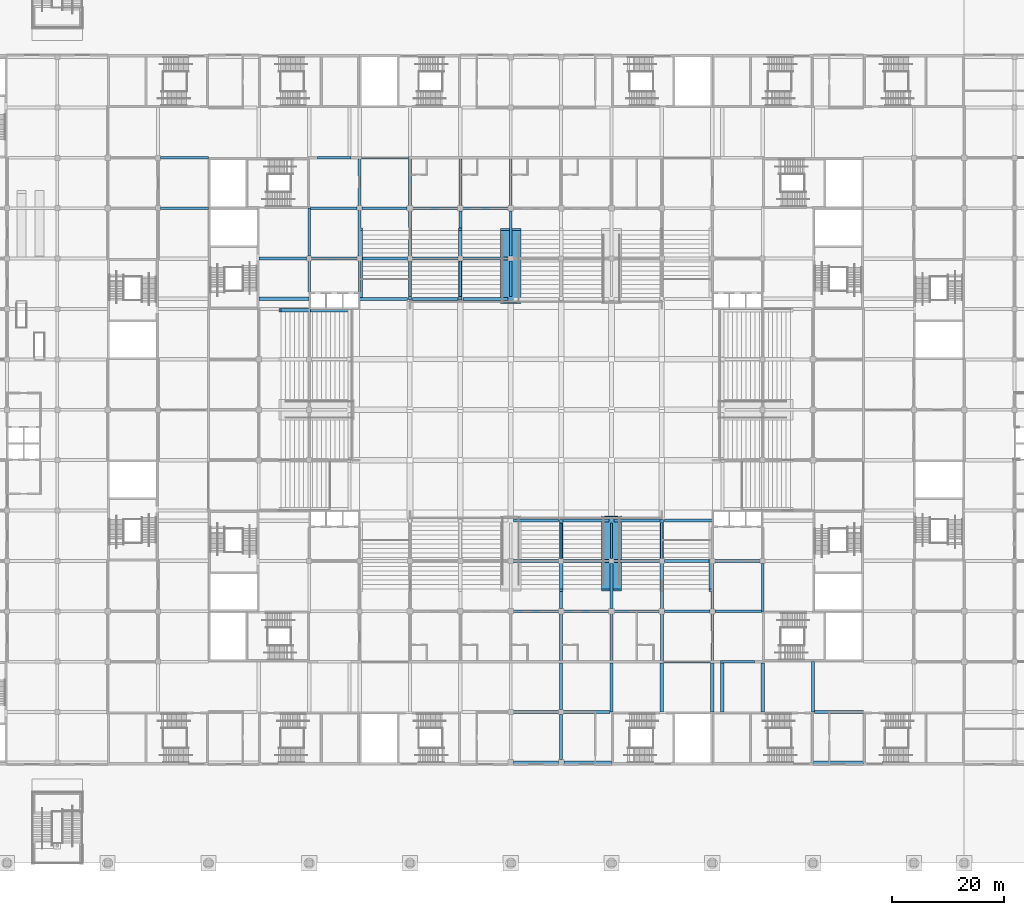
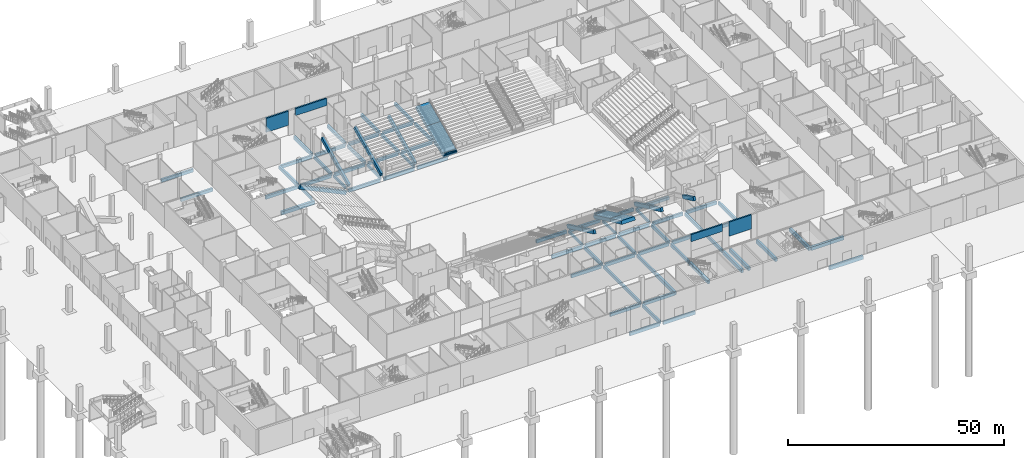
# One storey, part 13 of 92: 92 beams.
"""IFC4 building model written with IfcOpenShell, lengths in metres."""

import ifcopenshell
import ifcopenshell.guid

model = None  # the IFC model being written
_history = None  # IfcOwnerHistory: only IFC2X3 demands one
_inside = {}  # id of a spatial element -> (the spatial element, [elements in it])
_under = {}  # id of a project, library or spatial element -> (it, [spatial elements below it])
_declared = {}  # id of a project -> (the project, [libraries it declares])
_typed = {}  # id of a type object -> (the type object, [elements of that type])
_made_of = {}  # id of a material, layer set ... -> (it, [elements and type objects made of it])


def new_model(schema):
    """Start an empty IFC model of exactly this schema.

    Asked for "IFC4X3", IfcOpenShell would pick the latest addendum, in which some entities
    have other attributes; the version numbers below select the first issue.
    IFC2X3 requires an IfcOwnerHistory on every rooted entity: one is made here for all.
    """
    global model, _history
    if schema == "IFC4X3":
        model = ifcopenshell.file(schema_version=(4, 3, 0, 0))
    else:
        model = ifcopenshell.file(schema=schema)
    _inside.clear()
    _under.clear()
    _declared.clear()
    _typed.clear()
    _made_of.clear()
    _history = None
    if model.schema == "IFC2X3":
        org = make("IfcOrganization", Name="unknown")
        user = make(
            "IfcPersonAndOrganization",
            ThePerson=make("IfcPerson", FamilyName="unknown"),
            TheOrganization=org,
        )
        app = make(
            "IfcApplication",
            ApplicationDeveloper=org,
            Version="unknown",
            ApplicationFullName="unknown",
            ApplicationIdentifier="unknown",
        )
        _history = make(
            "IfcOwnerHistory",
            OwningUser=user,
            OwningApplication=app,
            ChangeAction="ADDED",
            CreationDate=0,
        )
    return model


def make(cls, **values):
    """One entity of the class cls with the attributes given. An attribute that is None is left unset."""
    return model.create_entity(
        cls, **{name: value for name, value in values.items() if value is not None}
    )


def rooted(cls, **values):
    """An entity with a GlobalId (a new one), such as an element, a storey or a relation."""
    return make(cls, GlobalId=ifcopenshell.guid.new(), OwnerHistory=_history, **values)


def si_unit(unit_type, name, prefix=None):
    """IfcSIUnit, for example si_unit("LENGTHUNIT", "METRE", prefix="MILLI")."""
    return make("IfcSIUnit", UnitType=unit_type, Prefix=prefix, Name=name)


def assignment(units):
    """IfcUnitAssignment: the units of a project."""
    return None if units is None else make("IfcUnitAssignment", Units=units)


def point(xyz):
    """IfcCartesianPoint."""
    return None if xyz is None else make("IfcCartesianPoint", Coordinates=xyz)


def direction(xyz):
    """IfcDirection."""
    return None if xyz is None else make("IfcDirection", DirectionRatios=xyz)


def frame(location, z_axis=None, x_axis=None):
    """IfcAxis2Placement3D, a coordinate frame: its origin and axes. An axis left out is left unset."""
    return make(
        "IfcAxis2Placement3D",
        Location=point(location),
        Axis=direction(z_axis),
        RefDirection=direction(x_axis),
    )


def frame_2d(location, x_axis=None):
    """IfcAxis2Placement2D, a coordinate frame in the plane: its origin and x axis."""
    return make(
        "IfcAxis2Placement2D", Location=point(location), RefDirection=direction(x_axis)
    )


def origin():
    """The frame at (0, 0, 0) with its axes left unset."""
    return frame((0.0, 0.0, 0.0))


def origin_2d():
    """The frame at (0, 0) in the plane with its x axis left unset."""
    return frame_2d((0.0, 0.0))


def place(relative_to, where):
    """IfcLocalPlacement: puts the frame where relative to a parent placement (None: the world)."""
    return make(
        "IfcLocalPlacement", PlacementRelTo=relative_to, RelativePlacement=where
    )


def context(
    kind, dimensions, precision=None, world=None, true_north=None, identifier=None
):
    """IfcGeometricRepresentationContext, for example the 3D "Model" context."""
    return make(
        "IfcGeometricRepresentationContext",
        ContextIdentifier=identifier,
        ContextType=kind,
        CoordinateSpaceDimension=dimensions,
        Precision=precision,
        WorldCoordinateSystem=world,
        TrueNorth=true_north,
    )


def subcontext(parent, identifier, kind, view, scale=None):
    """IfcGeometricRepresentationSubContext, for example "Body" below "Model"."""
    return make(
        "IfcGeometricRepresentationSubContext",
        ContextIdentifier=identifier,
        ContextType=kind,
        ParentContext=parent,
        TargetScale=scale,
        TargetView=view,
    )


def project(units=None, contexts=None):
    """IfcProject with its units and contexts."""
    return rooted(
        "IfcProject",
        Name="project",
        RepresentationContexts=contexts,
        UnitsInContext=assignment(units),
    )


def spatial(cls, under=None, at=None, **own):
    """A site, building, storey or space (cls), placed at a placement, below another one or the project."""
    s = rooted(cls, ObjectPlacement=at, **own)
    if under is not None:
        _under.setdefault(under.id(), (under, []))[1].append(s)
    return s


def profile(cls, at=None, kind="AREA", **sizes):
    """A parametric profile (cls). Its sizes go by their IFC names, for example OverallWidth=200.0."""
    return make(cls, ProfileType=kind, Position=at, **sizes)


def rectangle(**sizes):
    """IfcRectangleProfileDef."""
    return profile("IfcRectangleProfileDef", **sizes)


def extrude(swept, where, along, depth):
    """IfcExtrudedAreaSolid: the profile swept, set in the frame where, extruded along a direction by depth."""
    return make(
        "IfcExtrudedAreaSolid",
        SweptArea=swept,
        Position=where,
        ExtrudedDirection=direction(along),
        Depth=depth,
    )


def shape(context_of_items, identifier, shape_type, items):
    """IfcShapeRepresentation: the items that make up one representation, for example the "Body"."""
    return make(
        "IfcShapeRepresentation",
        ContextOfItems=context_of_items,
        RepresentationIdentifier=identifier,
        RepresentationType=shape_type,
        Items=items,
    )


def material(Name=None, Category=None):
    """IfcMaterial."""
    return make("IfcMaterial", Name=Name, Category=Category)


def material_profile(
    of_material, cross_section, Name=None, Category=None, Priority=None
):
    """IfcMaterialProfile: a cross section and its material."""
    return make(
        "IfcMaterialProfile",
        Name=Name,
        Material=of_material,
        Profile=cross_section,
        Priority=Priority,
        Category=Category,
    )


def profile_set(profiles, Name=None, composite=None):
    """IfcMaterialProfileSet."""
    return make(
        "IfcMaterialProfileSet",
        Name=Name,
        MaterialProfiles=profiles,
        CompositeProfile=composite,
    )


def made_of(thing, what):
    """Note that an element or type object is made of a material, layer set ...; save() writes the relation."""
    if what is not None:
        _made_of.setdefault(what.id(), (what, []))[1].append(thing)
    return thing


def type_object(cls, material=None, **own):
    """A type object (cls), such as IfcWallType, which elements share."""
    return made_of(rooted(cls, **own), material)


def element(
    cls,
    number,
    at=None,
    inside=None,
    cuts=None,
    type_object=None,
    material=None,
    context=None,
    identifier="Body",
    shape_type=None,
    held_by="IfcProductDefinitionShape",
    body=None,
    shapes=None,
    **own,
):
    """One element of the class cls, such as IfcWall. Its Tag is "e" and its number.

    at: its placement. inside: the storey or other place that contains it. cuts: it is an
    opening in that element (IfcRelVoidsElement). A single representation is given by context,
    identifier, shape_type and body (its items); several are given by shapes. held_by: the class
    of the entity that holds the representations. save() writes the other relations.
    """
    e = rooted(cls, Tag="e%d" % number, ObjectPlacement=at, **own)
    if body is not None:
        shapes = [shape(context, identifier, shape_type, body)]
    if shapes is not None:
        e.Representation = make(held_by, Representations=shapes)
    if inside is not None:
        _inside.setdefault(inside.id(), (inside, []))[1].append(e)
    if cuts is not None:
        rooted(
            "IfcRelVoidsElement", RelatingBuildingElement=cuts, RelatedOpeningElement=e
        )
    if type_object is not None:
        _typed.setdefault(type_object.id(), (type_object, []))[1].append(e)
    return made_of(e, material)


def aggregate(whole, parts):
    """IfcRelAggregates: a whole, such as a stair, and the parts it consists of."""
    return rooted("IfcRelAggregates", RelatingObject=whole, RelatedObjects=parts)


def save(model, path):
    """Write the relations noted so far, then the file.

    IfcRelAggregates (storeys below a building ...), IfcRelContainedInSpatialStructure (elements
    in a storey), IfcRelDefinesByType, IfcRelAssociatesMaterial and IfcRelDeclares: one each for
    every whole, place, type object, material and project.
    """
    for whole, parts in _under.values():
        aggregate(whole, parts)
    for where, things in _inside.values():
        rooted(
            "IfcRelContainedInSpatialStructure",
            RelatedElements=things,
            RelatingStructure=where,
        )
    for kind, things in _typed.values():
        rooted("IfcRelDefinesByType", RelatedObjects=things, RelatingType=kind)
    for what, things in _made_of.values():
        rooted("IfcRelAssociatesMaterial", RelatedObjects=things, RelatingMaterial=what)
    for by, libraries in _declared.values():
        rooted("IfcRelDeclares", RelatingContext=by, RelatedDefinitions=libraries)
    model.write(path)


model = new_model("IFC4")

# Units and contexts
model_context = context("Model", 3, precision=1e-05, world=origin(), true_north=direction((0.0, 1.0)))
body_context = subcontext(model_context, "Body", "Model", "MODEL_VIEW")
ifc_project = project(units=[si_unit("LENGTHUNIT", "METRE"), si_unit("AREAUNIT", "SQUARE_METRE"), si_unit("VOLUMEUNIT", "CUBIC_METRE"), si_unit("PLANEANGLEUNIT", "RADIAN"), si_unit("MASSUNIT", "GRAM", prefix="KILO")], contexts=[model_context])

# Site, building, storey
site_placement = place(None, origin())
site = spatial("IfcSite", under=ifc_project, at=site_placement, CompositionType="ELEMENT")
building_placement = place(site_placement, origin())
building = spatial("IfcBuilding", under=site, at=building_placement, Name="Silverbay Arena", CompositionType="ELEMENT")
storey_placement = place(building_placement, origin())
storey = spatial("IfcBuildingStorey", under=building, at=storey_placement, Name="L00", CompositionType="ELEMENT", Elevation=0.0)

# Beams
ifc_material_1 = material(Name="Concrete Grade C45", Category="concrete")
ifc_material_profile_1 = material_profile(ifc_material_1, rectangle(XDim=0.39990234375, YDim=0.699951171875, at=origin_2d()), Name="RC 400x700")
ifc_profile_set_1 = profile_set([ifc_material_profile_1], Name="Concrete Grade C45")
beam_type_1 = type_object("IfcBeamType", Name="RC beam 400x700", PredefinedType="BEAM", material=ifc_profile_set_1)
for number, where, z_axis, x_axis, name in (
    (1, (90.0, 102.0, -0.800048828125), (0.0, 1.0, 0.0), (-1.0, 0.0, 0.0), "Floor beam L00 299"),
    (2, (99.0, 102.0, -0.800048828125), (0.0, 1.0, 0.0), (-1.0, 0.0, 0.0), "Floor beam L00 312"),
):
    element("IfcBeam", number, at=place(storey_placement, frame(where, z_axis=z_axis, x_axis=x_axis)), inside=storey, type_object=beam_type_1, Name=name, PredefinedType="BEAM", context=body_context, shape_type="SweptSolid", body=[
        extrude(rectangle(XDim=0.39990234375, YDim=0.699951171875, at=origin_2d()), origin(), (0.0, 0.0, 1.0), 5.550048828125),
    ])
for number, where, z_axis, x_axis, name in (
    (3, (108.0, 101.25, -0.800048828125), (0.0, 1.0, 0.0), (-1.0, 0.0, 0.0), "Floor beam L00 324"),
    (4, (117.0, 101.25, -0.800048828125), (0.0, 1.0, 0.0), (-1.0, 0.0, 0.0), "Floor beam L00 336"),
    (5, (126.0, 101.25, -0.800048828125), (0.0, 1.0, 0.0), (-1.0, 0.0, 0.0), "Floor beam L00 349"),
    (6, (135.0, 54.449951171875, -0.800048828125), (0.0, 1.0, 0.0), (-1.0, 0.0, 0.0), "Floor beam L00 358"),
    (7, (144.0, 54.449951171875, -0.800048828125), (0.0, 1.0, 0.0), (-1.0, 0.0, 0.0), "Floor beam L00 371"),
    (8, (153.0, 54.449951171875, -0.800048828125), (0.0, 1.0, 0.0), (-1.0, 0.0, 0.0), "Floor beam L00 383"),
):
    element("IfcBeam", number, at=place(storey_placement, frame(where, z_axis=z_axis, x_axis=x_axis)), inside=storey, type_object=beam_type_1, Name=name, PredefinedType="BEAM", context=body_context, shape_type="SweptSolid", body=[
        extrude(rectangle(XDim=0.39990234375, YDim=0.699951171875, at=origin_2d()), origin(), (0.0, 0.0, 1.0), 6.300048828125),
    ])
ifc_material_2 = material(Name="Concrete Grade C45", Category="concrete")
ifc_material_profile_2 = material_profile(ifc_material_2, rectangle(XDim=0.5, YDim=0.89990234375, at=origin_2d()), Name="RC 500x900")
ifc_profile_set_2 = profile_set([ifc_material_profile_2], Name="Concrete Grade C45")
beam_type_2 = type_object("IfcBeamType", Name="RC beam 500x900", PredefinedType="BEAM", material=ifc_profile_set_2)
beam_1_placement = place(storey_placement, frame((126.5, 18.0, -0.89990234375), z_axis=(1.0, 0.0, 0.0), x_axis=(0.0, 1.0, 0.0)))
element("IfcBeam", 9, at=beam_1_placement, inside=storey, type_object=beam_type_2, Name="Floor beam L00 005", PredefinedType="BEAM", context=body_context, shape_type="SweptSolid", body=[
    extrude(rectangle(XDim=0.5, YDim=0.89990234375, at=origin_2d()), origin(), (0.0, 0.0, 1.0), 8.0),
])
beam_2_placement = place(storey_placement, frame((135.5, 18.0, -0.89990234375), z_axis=(1.0, 0.0, 0.0), x_axis=(0.0, 1.0, 0.0)))
element("IfcBeam", 10, at=beam_2_placement, inside=storey, type_object=beam_type_2, Name="Floor beam L00 006", PredefinedType="BEAM", context=body_context, shape_type="SweptSolid", body=[
    extrude(rectangle(XDim=0.5, YDim=0.89990234375, at=origin_2d()), origin(), (0.0, 0.0, 1.0), 8.5),
])
beam_3_placement = place(storey_placement, frame((126.449951171875, 27.0, -0.89990234375), z_axis=(1.0, 0.0, 0.0), x_axis=(0.0, 1.0, 0.0)))
element("IfcBeam", 11, at=beam_3_placement, inside=storey, type_object=beam_type_2, Name="Floor beam L00 014", PredefinedType="BEAM", context=body_context, shape_type="SweptSolid", body=[
    extrude(rectangle(XDim=0.5, YDim=0.89990234375, at=origin_2d()), origin(), (0.0, 0.0, 1.0), 8.10009765625),
])
beam_4_placement = place(storey_placement, frame((135.449951171875, 27.0, -0.89990234375), z_axis=(1.0, 0.0, 0.0), x_axis=(0.0, 1.0, 0.0)))
element("IfcBeam", 12, at=beam_4_placement, inside=storey, type_object=beam_type_2, Name="Floor beam L00 015", PredefinedType="BEAM", context=body_context, shape_type="SweptSolid", body=[
    extrude(rectangle(XDim=0.5, YDim=0.89990234375, at=origin_2d()), origin(), (0.0, 0.0, 1.0), 8.25),
])
for number, where, z_axis, x_axis, name in (
    (13, (126.5, 45.0, -0.89990234375), (1.0, 0.0, 0.0), (0.0, 1.0, 0.0), "Floor beam L00 036"),
    (14, (135.5, 45.0, -0.89990234375), (1.0, 0.0, 0.0), (0.0, 1.0, 0.0), "Floor beam L00 037"),
    (15, (144.5, 45.0, -0.89990234375), (1.0, 0.0, 0.0), (0.0, 1.0, 0.0), "Floor beam L00 038"),
):
    element("IfcBeam", number, at=place(storey_placement, frame(where, z_axis=z_axis, x_axis=x_axis)), inside=storey, type_object=beam_type_2, Name=name, PredefinedType="BEAM", context=body_context, shape_type="SweptSolid", body=[
        extrude(rectangle(XDim=0.5, YDim=0.89990234375, at=origin_2d()), origin(), (0.0, 0.0, 1.0), 8.0),
    ])
beam_5_placement = place(storey_placement, frame((153.5, 45.0, -0.89990234375), z_axis=(1.0, 0.0, 0.0), x_axis=(0.0, 1.0, 0.0)))
element("IfcBeam", 16, at=beam_5_placement, inside=storey, type_object=beam_type_2, Name="Floor beam L00 039", PredefinedType="BEAM", context=body_context, shape_type="SweptSolid", body=[
    extrude(rectangle(XDim=0.5, YDim=0.89990234375, at=origin_2d()), origin(), (0.0, 0.0, 1.0), 8.050048828125),
])
beam_6_placement = place(storey_placement, frame((162.449951171875, 45.0, -0.89990234375), z_axis=(1.0, 0.0, 0.0), x_axis=(0.0, 1.0, 0.0)))
element("IfcBeam", 17, at=beam_6_placement, inside=storey, type_object=beam_type_2, Name="Floor beam L00 040", PredefinedType="BEAM", context=body_context, shape_type="SweptSolid", body=[
    extrude(rectangle(XDim=0.5, YDim=0.89990234375, at=origin_2d()), origin(), (0.0, 0.0, 1.0), 8.300048828125),
])
for number, where, z_axis, x_axis, name in (
    (18, (126.449951171875, 54.0, -0.89990234375), (1.0, 0.0, 0.0), (0.0, 1.0, 0.0), "Floor beam L00 055"),
    (19, (135.449951171875, 54.0, -0.89990234375), (1.0, 0.0, 0.0), (0.0, 1.0, 0.0), "Floor beam L00 056"),
    (20, (144.449951171875, 54.0, -0.89990234375), (1.0, 0.0, 0.0), (0.0, 1.0, 0.0), "Floor beam L00 057"),
    (21, (153.449951171875, 54.0, -0.89990234375), (1.0, 0.0, 0.0), (0.0, 1.0, 0.0), "Floor beam L00 058"),
    (22, (162.449951171875, 54.0, -0.89990234375), (1.0, 0.0, 0.0), (0.0, 1.0, 0.0), "Floor beam L00 059"),
    (23, (126.449951171875, 61.199951171875, -0.89990234375), (1.0, 0.0, 0.0), (0.0, 1.0, 0.0), "Floor beam L00 070"),
    (24, (135.449951171875, 61.199951171875, -0.89990234375), (1.0, 0.0, 0.0), (0.0, 1.0, 0.0), "Floor beam L00 071"),
    (25, (144.449951171875, 61.199951171875, -0.89990234375), (1.0, 0.0, 0.0), (0.0, 1.0, 0.0), "Floor beam L00 072"),
):
    element("IfcBeam", number, at=place(storey_placement, frame(where, z_axis=z_axis, x_axis=x_axis)), inside=storey, type_object=beam_type_2, Name=name, PredefinedType="BEAM", context=body_context, shape_type="SweptSolid", body=[
        extrude(rectangle(XDim=0.5, YDim=0.89990234375, at=origin_2d()), origin(), (0.0, 0.0, 1.0), 8.10009765625),
    ])
for number, where, z_axis, x_axis, name in (
    (26, (153.449951171875, 61.199951171875, -0.89990234375), (1.0, 0.0, 0.0), (0.0, 1.0, 0.0), "Floor beam L00 073"),
    (27, (99.0, 100.800048828125, -0.89990234375), (1.0, 0.0, 0.0), (0.0, 1.0, 0.0), "Floor beam L00 163"),
):
    element("IfcBeam", number, at=place(storey_placement, frame(where, z_axis=z_axis, x_axis=x_axis)), inside=storey, type_object=beam_type_2, Name=name, PredefinedType="BEAM", context=body_context, shape_type="SweptSolid", body=[
        extrude(rectangle(XDim=0.5, YDim=0.89990234375, at=origin_2d()), origin(), (0.0, 0.0, 1.0), 8.550048828125),
    ])
for number, where, z_axis, x_axis, name in (
    (28, (108.449951171875, 100.800048828125, -0.89990234375), (1.0, 0.0, 0.0), (0.0, 1.0, 0.0), "Floor beam L00 164"),
    (29, (117.449951171875, 100.800048828125, -0.89990234375), (1.0, 0.0, 0.0), (0.0, 1.0, 0.0), "Floor beam L00 165"),
):
    element("IfcBeam", number, at=place(storey_placement, frame(where, z_axis=z_axis, x_axis=x_axis)), inside=storey, type_object=beam_type_2, Name=name, PredefinedType="BEAM", context=body_context, shape_type="SweptSolid", body=[
        extrude(rectangle(XDim=0.5, YDim=0.89990234375, at=origin_2d()), origin(), (0.0, 0.0, 1.0), 8.10009765625),
    ])
beam_7_placement = place(storey_placement, frame((81.0, 108.0, -0.89990234375), z_axis=(1.0, 0.0, 0.0), x_axis=(0.0, 1.0, 0.0)))
element("IfcBeam", 30, at=beam_7_placement, inside=storey, type_object=beam_type_2, Name="Floor beam L00 176", PredefinedType="BEAM", context=body_context, shape_type="SweptSolid", body=[
    extrude(rectangle(XDim=0.5, YDim=0.89990234375, at=origin_2d()), origin(), (0.0, 0.0, 1.0), 8.550048828125),
])
for number, where, z_axis, x_axis, name in (
    (31, (90.449951171875, 108.0, -0.89990234375), (1.0, 0.0, 0.0), (0.0, 1.0, 0.0), "Floor beam L00 177"),
    (32, (99.449951171875, 108.0, -0.89990234375), (1.0, 0.0, 0.0), (0.0, 1.0, 0.0), "Floor beam L00 178"),
    (33, (108.449951171875, 108.0, -0.89990234375), (1.0, 0.0, 0.0), (0.0, 1.0, 0.0), "Floor beam L00 179"),
    (34, (117.449951171875, 108.0, -0.89990234375), (1.0, 0.0, 0.0), (0.0, 1.0, 0.0), "Floor beam L00 180"),
):
    element("IfcBeam", number, at=place(storey_placement, frame(where, z_axis=z_axis, x_axis=x_axis)), inside=storey, type_object=beam_type_2, Name=name, PredefinedType="BEAM", context=body_context, shape_type="SweptSolid", body=[
        extrude(rectangle(XDim=0.5, YDim=0.89990234375, at=origin_2d()), origin(), (0.0, 0.0, 1.0), 8.10009765625),
    ])
beam_8_placement = place(storey_placement, frame((63.449951171875, 117.0, -0.89990234375), z_axis=(1.0, 0.0, 0.0), x_axis=(0.0, 1.0, 0.0)))
element("IfcBeam", 35, at=beam_8_placement, inside=storey, type_object=beam_type_2, Name="Floor beam L00 195", PredefinedType="BEAM", context=body_context, shape_type="SweptSolid", body=[
    extrude(rectangle(XDim=0.5, YDim=0.89990234375, at=origin_2d()), origin(), (0.0, 0.0, 1.0), 8.550048828125),
])
beam_9_placement = place(storey_placement, frame((90.25, 117.0, -0.89990234375), z_axis=(1.0, 0.0, 0.0), x_axis=(0.0, 1.0, 0.0)))
element("IfcBeam", 36, at=beam_9_placement, inside=storey, type_object=beam_type_2, Name="Floor beam L00 196", PredefinedType="BEAM", context=body_context, shape_type="SweptSolid", body=[
    extrude(rectangle(XDim=0.5, YDim=0.89990234375, at=origin_2d()), origin(), (0.0, 0.0, 1.0), 8.300048828125),
])
beam_10_placement = place(storey_placement, frame((99.449951171875, 117.0, -0.89990234375), z_axis=(1.0, 0.0, 0.0), x_axis=(0.0, 1.0, 0.0)))
element("IfcBeam", 37, at=beam_10_placement, inside=storey, type_object=beam_type_2, Name="Floor beam L00 197", PredefinedType="BEAM", context=body_context, shape_type="SweptSolid", body=[
    extrude(rectangle(XDim=0.5, YDim=0.89990234375, at=origin_2d()), origin(), (0.0, 0.0, 1.0), 8.050048828125),
])
for number, where, z_axis, x_axis, name in (
    (38, (108.5, 117.0, -0.89990234375), (1.0, 0.0, 0.0), (0.0, 1.0, 0.0), "Floor beam L00 198"),
    (39, (117.5, 117.0, -0.89990234375), (1.0, 0.0, 0.0), (0.0, 1.0, 0.0), "Floor beam L00 199"),
):
    element("IfcBeam", number, at=place(storey_placement, frame(where, z_axis=z_axis, x_axis=x_axis)), inside=storey, type_object=beam_type_2, Name=name, PredefinedType="BEAM", context=body_context, shape_type="SweptSolid", body=[
        extrude(rectangle(XDim=0.5, YDim=0.89990234375, at=origin_2d()), origin(), (0.0, 0.0, 1.0), 8.0),
    ])
for number, where, z_axis, x_axis, name in (
    (40, (63.449951171875, 126.0, -0.89990234375), (1.0, 0.0, 0.0), (0.0, 1.0, 0.0), "Floor beam L00 213"),
    (41, (90.0, 108.449951171875, -0.89990234375), (0.0, 1.0, 0.0), (-1.0, 0.0, 0.0), "Floor beam L00 300"),
):
    element("IfcBeam", number, at=place(storey_placement, frame(where, z_axis=z_axis, x_axis=x_axis)), inside=storey, type_object=beam_type_2, Name=name, PredefinedType="BEAM", context=body_context, shape_type="SweptSolid", body=[
        extrude(rectangle(XDim=0.5, YDim=0.89990234375, at=origin_2d()), origin(), (0.0, 0.0, 1.0), 8.550048828125),
    ])
beam_11_placement = place(storey_placement, frame((99.0, 108.449951171875, -0.89990234375), z_axis=(0.0, 1.0, 0.0), x_axis=(-1.0, 0.0, 0.0)))
element("IfcBeam", 42, at=beam_11_placement, inside=storey, type_object=beam_type_2, Name="Floor beam L00 313", PredefinedType="BEAM", context=body_context, shape_type="SweptSolid", body=[
    extrude(rectangle(XDim=0.5, YDim=0.89990234375, at=origin_2d()), origin(), (0.0, 0.0, 1.0), 8.10009765625),
])
beam_12_placement = place(storey_placement, frame((99.0, 117.449951171875, -0.89990234375), z_axis=(0.0, 1.0, 0.0), x_axis=(-1.0, 0.0, 0.0)))
element("IfcBeam", 43, at=beam_12_placement, inside=storey, type_object=beam_type_2, Name="Floor beam L00 314", PredefinedType="BEAM", context=body_context, shape_type="SweptSolid", body=[
    extrude(rectangle(XDim=0.5, YDim=0.89990234375, at=origin_2d()), origin(), (0.0, 0.0, 1.0), 8.35009765625),
])
beam_13_placement = place(storey_placement, frame((108.0, 108.449951171875, -0.89990234375), z_axis=(0.0, 1.0, 0.0), x_axis=(-1.0, 0.0, 0.0)))
element("IfcBeam", 44, at=beam_13_placement, inside=storey, type_object=beam_type_2, Name="Floor beam L00 325", PredefinedType="BEAM", context=body_context, shape_type="SweptSolid", body=[
    extrude(rectangle(XDim=0.5, YDim=0.89990234375, at=origin_2d()), origin(), (0.0, 0.0, 1.0), 8.050048828125),
])
beam_14_placement = place(storey_placement, frame((108.0, 117.5, -0.89990234375), z_axis=(0.0, 1.0, 0.0), x_axis=(-1.0, 0.0, 0.0)))
element("IfcBeam", 45, at=beam_14_placement, inside=storey, type_object=beam_type_2, Name="Floor beam L00 326", PredefinedType="BEAM", context=body_context, shape_type="SweptSolid", body=[
    extrude(rectangle(XDim=0.5, YDim=0.89990234375, at=origin_2d()), origin(), (0.0, 0.0, 1.0), 8.300048828125),
])
beam_15_placement = place(storey_placement, frame((117.0, 108.449951171875, -0.89990234375), z_axis=(0.0, 1.0, 0.0), x_axis=(-1.0, 0.0, 0.0)))
element("IfcBeam", 46, at=beam_15_placement, inside=storey, type_object=beam_type_2, Name="Floor beam L00 337", PredefinedType="BEAM", context=body_context, shape_type="SweptSolid", body=[
    extrude(rectangle(XDim=0.5, YDim=0.89990234375, at=origin_2d()), origin(), (0.0, 0.0, 1.0), 8.050048828125),
])
beam_16_placement = place(storey_placement, frame((117.0, 117.5, -0.89990234375), z_axis=(0.0, 1.0, 0.0), x_axis=(-1.0, 0.0, 0.0)))
element("IfcBeam", 47, at=beam_16_placement, inside=storey, type_object=beam_type_2, Name="Floor beam L00 338", PredefinedType="BEAM", context=body_context, shape_type="SweptSolid", body=[
    extrude(rectangle(XDim=0.5, YDim=0.89990234375, at=origin_2d()), origin(), (0.0, 0.0, 1.0), 8.300048828125),
])
beam_17_placement = place(storey_placement, frame((126.0, 108.449951171875, -0.89990234375), z_axis=(0.0, 1.0, 0.0), x_axis=(-1.0, 0.0, 0.0)))
element("IfcBeam", 48, at=beam_17_placement, inside=storey, type_object=beam_type_2, Name="Floor beam L00 350", PredefinedType="BEAM", context=body_context, shape_type="SweptSolid", body=[
    extrude(rectangle(XDim=0.5, YDim=0.89990234375, at=origin_2d()), origin(), (0.0, 0.0, 1.0), 8.050048828125),
])
beam_18_placement = place(storey_placement, frame((126.0, 117.5, -0.89990234375), z_axis=(0.0, 1.0, 0.0), x_axis=(-1.0, 0.0, 0.0)))
element("IfcBeam", 49, at=beam_18_placement, inside=storey, type_object=beam_type_2, Name="Floor beam L00 351", PredefinedType="BEAM", context=body_context, shape_type="SweptSolid", body=[
    extrude(rectangle(XDim=0.5, YDim=0.89990234375, at=origin_2d()), origin(), (0.0, 0.0, 1.0), 8.300048828125),
])
beam_19_placement = place(storey_placement, frame((135.0, 18.5, -0.89990234375), z_axis=(0.0, 1.0, 0.0), x_axis=(-1.0, 0.0, 0.0)))
element("IfcBeam", 50, at=beam_19_placement, inside=storey, type_object=beam_type_2, Name="Floor beam L00 354", PredefinedType="BEAM", context=body_context, shape_type="SweptSolid", body=[
    extrude(rectangle(XDim=0.5, YDim=0.89990234375, at=origin_2d()), origin(), (0.0, 0.0, 1.0), 8.050048828125),
])
beam_20_placement = place(storey_placement, frame((135.0, 27.449951171875, -0.89990234375), z_axis=(0.0, 1.0, 0.0), x_axis=(-1.0, 0.0, 0.0)))
element("IfcBeam", 51, at=beam_20_placement, inside=storey, type_object=beam_type_2, Name="Floor beam L00 355", PredefinedType="BEAM", context=body_context, shape_type="SweptSolid", body=[
    extrude(rectangle(XDim=0.5, YDim=0.89990234375, at=origin_2d()), origin(), (0.0, 0.0, 1.0), 8.35009765625),
])
beam_21_placement = place(storey_placement, frame((135.0, 36.199951171875, -0.89990234375), z_axis=(0.0, 1.0, 0.0), x_axis=(-1.0, 0.0, 0.0)))
element("IfcBeam", 52, at=beam_21_placement, inside=storey, type_object=beam_type_2, Name="Floor beam L00 356", PredefinedType="BEAM", context=body_context, shape_type="SweptSolid", body=[
    extrude(rectangle(XDim=0.5, YDim=0.89990234375, at=origin_2d()), origin(), (0.0, 0.0, 1.0), 8.300048828125),
])
beam_22_placement = place(storey_placement, frame((135.0, 45.5, -0.89990234375), z_axis=(0.0, 1.0, 0.0), x_axis=(-1.0, 0.0, 0.0)))
element("IfcBeam", 53, at=beam_22_placement, inside=storey, type_object=beam_type_2, Name="Floor beam L00 357", PredefinedType="BEAM", context=body_context, shape_type="SweptSolid", body=[
    extrude(rectangle(XDim=0.5, YDim=0.89990234375, at=origin_2d()), origin(), (0.0, 0.0, 1.0), 8.050048828125),
])
beam_23_placement = place(storey_placement, frame((144.0, 36.199951171875, -0.89990234375), z_axis=(0.0, 1.0, 0.0), x_axis=(-1.0, 0.0, 0.0)))
element("IfcBeam", 54, at=beam_23_placement, inside=storey, type_object=beam_type_2, Name="Floor beam L00 369", PredefinedType="BEAM", context=body_context, shape_type="SweptSolid", body=[
    extrude(rectangle(XDim=0.5, YDim=0.89990234375, at=origin_2d()), origin(), (0.0, 0.0, 1.0), 8.300048828125),
])
beam_24_placement = place(storey_placement, frame((144.0, 45.5, -0.89990234375), z_axis=(0.0, 1.0, 0.0), x_axis=(-1.0, 0.0, 0.0)))
element("IfcBeam", 55, at=beam_24_placement, inside=storey, type_object=beam_type_2, Name="Floor beam L00 370", PredefinedType="BEAM", context=body_context, shape_type="SweptSolid", body=[
    extrude(rectangle(XDim=0.5, YDim=0.89990234375, at=origin_2d()), origin(), (0.0, 0.0, 1.0), 8.050048828125),
])
beam_25_placement = place(storey_placement, frame((153.0, 36.199951171875, -0.89990234375), z_axis=(0.0, 1.0, 0.0), x_axis=(-1.0, 0.0, 0.0)))
element("IfcBeam", 56, at=beam_25_placement, inside=storey, type_object=beam_type_2, Name="Floor beam L00 381", PredefinedType="BEAM", context=body_context, shape_type="SweptSolid", body=[
    extrude(rectangle(XDim=0.5, YDim=0.89990234375, at=origin_2d()), origin(), (0.0, 0.0, 1.0), 8.300048828125),
])
beam_26_placement = place(storey_placement, frame((153.0, 45.5, -0.89990234375), z_axis=(0.0, 1.0, 0.0), x_axis=(-1.0, 0.0, 0.0)))
element("IfcBeam", 57, at=beam_26_placement, inside=storey, type_object=beam_type_2, Name="Floor beam L00 382", PredefinedType="BEAM", context=body_context, shape_type="SweptSolid", body=[
    extrude(rectangle(XDim=0.5, YDim=0.89990234375, at=origin_2d()), origin(), (0.0, 0.0, 1.0), 8.050048828125),
])
beam_27_placement = place(storey_placement, frame((162.0, 36.199951171875, -0.89990234375), z_axis=(0.0, 1.0, 0.0), x_axis=(-1.0, 0.0, 0.0)))
element("IfcBeam", 58, at=beam_27_placement, inside=storey, type_object=beam_type_2, Name="Floor beam L00 393", PredefinedType="BEAM", context=body_context, shape_type="SweptSolid", body=[
    extrude(rectangle(XDim=0.5, YDim=0.89990234375, at=origin_2d()), origin(), (0.0, 0.0, 1.0), 8.35009765625),
])
beam_28_placement = place(storey_placement, frame((162.0, 45.449951171875, -0.89990234375), z_axis=(0.0, 1.0, 0.0), x_axis=(-1.0, 0.0, 0.0)))
element("IfcBeam", 59, at=beam_28_placement, inside=storey, type_object=beam_type_2, Name="Floor beam L00 394", PredefinedType="BEAM", context=body_context, shape_type="SweptSolid", body=[
    extrude(rectangle(XDim=0.5, YDim=0.89990234375, at=origin_2d()), origin(), (0.0, 0.0, 1.0), 8.10009765625),
])
beam_29_placement = place(storey_placement, frame((171.0, 45.0, -0.89990234375), z_axis=(0.0, 1.0, 0.0), x_axis=(-1.0, 0.0, 0.0)))
element("IfcBeam", 60, at=beam_29_placement, inside=storey, type_object=beam_type_2, Name="Floor beam L00 407", PredefinedType="BEAM", context=body_context, shape_type="SweptSolid", body=[
    extrude(rectangle(XDim=0.5, YDim=0.89990234375, at=origin_2d()), origin(), (0.0, 0.0, 1.0), 8.550048828125),
])
ifc_material_3 = material(Name="Concrete Grade C45", Category="concrete")
ifc_material_profile_3 = material_profile(ifc_material_3, rectangle(XDim=0.60009765625, YDim=1.0, at=origin_2d()), Name="RC 600x1000")
ifc_profile_set_3 = profile_set([ifc_material_profile_3], Name="Concrete Grade C45")
beam_type_3 = type_object("IfcBeamType", Name="RC beam 600x1000", PredefinedType="BEAM", material=ifc_profile_set_3)
beam_30_placement = place(storey_placement, frame((180.0, 18.0, -0.949951171875), z_axis=(1.0, 0.0, 0.0), x_axis=(0.0, 1.0, 0.0)))
element("IfcBeam", 61, at=beam_30_placement, inside=storey, type_object=beam_type_3, Name="Floor beam L00 007", PredefinedType="BEAM", context=body_context, shape_type="SweptSolid", body=[
    extrude(rectangle(XDim=0.60009765625, YDim=1.0, at=origin_2d()), origin(), (0.0, 0.0, 1.0), 9.0),
])
beam_31_placement = place(storey_placement, frame((180.300048828125, 27.0, -0.949951171875), z_axis=(1.0, 0.0, 0.0), x_axis=(0.0, 1.0, 0.0)))
element("IfcBeam", 62, at=beam_31_placement, inside=storey, type_object=beam_type_3, Name="Floor beam L00 016", PredefinedType="BEAM", context=body_context, shape_type="SweptSolid", body=[
    extrude(rectangle(XDim=0.60009765625, YDim=1.0, at=origin_2d()), origin(), (0.0, 0.0, 1.0), 8.699951171875),
])
beam_32_placement = place(storey_placement, frame((81.0, 100.800048828125, -0.949951171875), z_axis=(1.0, 0.0, 0.0), x_axis=(0.0, 1.0, 0.0)))
element("IfcBeam", 63, at=beam_32_placement, inside=storey, type_object=beam_type_3, Name="Floor beam L00 162", PredefinedType="BEAM", context=body_context, shape_type="SweptSolid", body=[
    extrude(rectangle(XDim=0.60009765625, YDim=1.0, at=origin_2d()), origin(), (0.0, 0.0, 1.0), 9.0),
])
for number, where, z_axis, x_axis, name in (
    (64, (144.0, 27.0, -0.949951171875), (0.0, 1.0, 0.0), (-1.0, 0.0, 0.0), "Floor beam L00 368"),
    (65, (153.0, 27.0, -0.949951171875), (0.0, 1.0, 0.0), (-1.0, 0.0, 0.0), "Floor beam L00 380"),
    (66, (162.0, 27.0, -0.949951171875), (0.0, 1.0, 0.0), (-1.0, 0.0, 0.0), "Floor beam L00 392"),
    (67, (163.800048828125, 27.0, -0.949951171875), (0.0, 1.0, 0.0), (-1.0, 0.0, 0.0), "Floor beam L00 400"),
    (68, (171.0, 27.0, -0.949951171875), (0.0, 1.0, 0.0), (-1.0, 0.0, 0.0), "Floor beam L00 406"),
):
    element("IfcBeam", number, at=place(storey_placement, frame(where, z_axis=z_axis, x_axis=x_axis)), inside=storey, type_object=beam_type_3, Name=name, PredefinedType="BEAM", context=body_context, shape_type="SweptSolid", body=[
        extrude(rectangle(XDim=0.60009765625, YDim=1.0, at=origin_2d()), origin(), (0.0, 0.0, 1.0), 8.800048828125),
    ])
beam_33_placement = place(storey_placement, frame((180.0, 27.0, -0.949951171875), z_axis=(0.0, 1.0, 0.0), x_axis=(-1.0, 0.0, 0.0)))
element("IfcBeam", 69, at=beam_33_placement, inside=storey, type_object=beam_type_3, Name="Floor beam L00 416", PredefinedType="BEAM", context=body_context, shape_type="SweptSolid", body=[
    extrude(rectangle(XDim=0.60009765625, YDim=1.0, at=origin_2d()), origin(), (0.0, 0.0, 1.0), 9.0),
])
ifc_material_4 = material(Name="Concrete Grade C45", Category="concrete")
ifc_material_profile_4 = material_profile(ifc_material_4, rectangle(XDim=0.300048828125, YDim=0.298828125, at=origin_2d()), Name="RC 300x299")
ifc_profile_set_4 = profile_set([ifc_material_profile_4], Name="Concrete Grade C45")
beam_type_4 = type_object("IfcBeamType", Name="RC foot plinth 300x299", PredefinedType="BEAM", material=ifc_profile_set_4)
for number, where, z_axis, x_axis, name in (
    (70, (142.5, 61.800048828125, 0.960693359375), (1.0, 0.0, 0.0), (0.0, 1.0, 0.0), "Foot plinth South lower 144"),
    (71, (124.5, 100.199951171875, 0.960693359375), (1.0, 0.0, 0.0), (0.0, 1.0, 0.0), "Foot plinth North lower 126"),
):
    element("IfcBeam", number, at=place(storey_placement, frame(where, z_axis=z_axis, x_axis=x_axis)), inside=storey, type_object=beam_type_4, Name=name, PredefinedType="BEAM", context=body_context, shape_type="SweptSolid", body=[
        extrude(rectangle(XDim=0.300048828125, YDim=0.298828125, at=origin_2d()), origin(), (0.0, 0.0, 1.0), 3.0),
    ])
ifc_material_5 = material(Name="Concrete Grade C45", Category="concrete")
ifc_material_profile_5 = material_profile(ifc_material_5, rectangle(XDim=0.39990234375, YDim=2.0, at=origin_2d()), Name="RC 400x2000")
ifc_profile_set_5 = profile_set([ifc_material_profile_5], Name="Concrete Grade C45")
beam_type_5 = type_object("IfcBeamType", Name="RC lintel 400x2000", PredefinedType="BEAM", material=ifc_profile_set_5)
for number, where, z_axis, x_axis, name in (
    (72, (99.300048828125, 126.0, 6.0), (1.0, 0.0, 0.0), (0.0, 1.0, 0.0), "Lintel over portal L00-TNW"),
    (73, (153.300048828125, 36.0, 6.0), (1.0, 0.0, 0.0), (0.0, 1.0, 0.0), "Lintel over portal L00-TSE"),
):
    element("IfcBeam", number, at=place(storey_placement, frame(where, z_axis=z_axis, x_axis=x_axis)), inside=storey, type_object=beam_type_5, Name=name, PredefinedType="BEAM", context=body_context, shape_type="SweptSolid", body=[
        extrude(rectangle(XDim=0.39990234375, YDim=2.0, at=origin_2d()), origin(), (0.0, 0.0, 1.0), 8.39990234375),
    ])
ifc_material_6 = material(Name="Concrete Grade C45", Category="concrete")
ifc_material_profile_6 = material_profile(ifc_material_6, rectangle(XDim=0.39990234375, YDim=4.0, at=origin_2d()), Name="RC 400x4000")
ifc_profile_set_6 = profile_set([ifc_material_profile_6], Name="Concrete Grade C45")
beam_type_6 = type_object("IfcBeamType", Name="RC lintel 400x4000", PredefinedType="BEAM", material=ifc_profile_set_6)
for number, where, z_axis, x_axis, name in (
    (74, (163.5, 36.0, 5.0), (1.0, 0.0, 0.0), (0.0, 1.0, 0.0), "Lintel over portal L00-SE"),
    (75, (91.5, 126.0, 5.0), (1.0, 0.0, 0.0), (0.0, 1.0, 0.0), "Lintel over portal L00-NW"),
):
    element("IfcBeam", number, at=place(storey_placement, frame(where, z_axis=z_axis, x_axis=x_axis)), inside=storey, type_object=beam_type_6, Name=name, PredefinedType="BEAM", context=body_context, shape_type="SweptSolid", body=[
        extrude(rectangle(XDim=0.39990234375, YDim=4.0, at=origin_2d()), origin(), (0.0, 0.0, 1.0), 6.0),
    ])
ifc_material_7 = material(Name="Concrete Grade C45", Category="concrete")
ifc_material_profile_7 = material_profile(ifc_material_7, rectangle(XDim=3.60009765625, YDim=0.89990234375, at=origin_2d()), Name="RC 3600x900")
ifc_profile_set_7 = profile_set([ifc_material_profile_7], Name="Concrete Grade C45")
beam_type_7 = type_object("IfcBeamType", Name="RC tier raker 3600x900", PredefinedType="BEAM", material=ifc_profile_set_7)
beam_34_placement = place(storey_placement, frame((144.0, 61.800048828125, 0.24169921875), z_axis=(0.0, -0.903275038974, 0.429062004804), x_axis=(1.0, 0.0, 0.0)))
element("IfcBeam", 76, at=beam_34_placement, inside=storey, type_object=beam_type_7, Name="Raker South lower 144 front", PredefinedType="BEAM", context=body_context, shape_type="SweptSolid", body=[
    extrude(rectangle(XDim=3.60009765625, YDim=0.89990234375, at=origin_2d()), origin(), (0.0, 0.0, 1.0), 8.63525390625),
])
beam_35_placement = place(storey_placement, frame((144.0, 54.0, 3.94677734375), z_axis=(0.0, -0.903272978458, 0.429066342642), x_axis=(1.0, 0.0, 0.0)))
element("IfcBeam", 77, at=beam_35_placement, inside=storey, type_object=beam_type_7, Name="Raker South lower 144 back", PredefinedType="BEAM", context=body_context, shape_type="SweptSolid", body=[
    extrude(rectangle(XDim=3.60009765625, YDim=0.89990234375, at=origin_2d()), origin(), (0.0, 0.0, 1.0), 5.749267578125),
])
beam_36_placement = place(storey_placement, frame((126.0, 100.199951171875, 0.24169921875), z_axis=(0.0, 0.903275038974, 0.429062004804), x_axis=(-1.0, 0.0, 0.0)))
element("IfcBeam", 78, at=beam_36_placement, inside=storey, type_object=beam_type_7, Name="Raker North lower 126 front", PredefinedType="BEAM", context=body_context, shape_type="SweptSolid", body=[
    extrude(rectangle(XDim=3.60009765625, YDim=0.89990234375, at=origin_2d()), origin(), (0.0, 0.0, 1.0), 8.63525390625),
])
beam_37_placement = place(storey_placement, frame((126.0, 108.0, 3.94677734375), z_axis=(0.0, 0.903272978458, 0.429066342642), x_axis=(-1.0, 0.0, 0.0)))
element("IfcBeam", 79, at=beam_37_placement, inside=storey, type_object=beam_type_7, Name="Raker North lower 126 back", PredefinedType="BEAM", context=body_context, shape_type="SweptSolid", body=[
    extrude(rectangle(XDim=3.60009765625, YDim=0.89990234375, at=origin_2d()), origin(), (0.0, 0.0, 1.0), 5.749267578125),
])
ifc_material_8 = material(Name="Concrete Grade C45", Category="concrete")
ifc_material_profile_8 = material_profile(ifc_material_8, rectangle(XDim=0.60009765625, YDim=1.0, at=origin_2d()), Name="RC 600x1000")
ifc_profile_set_8 = profile_set([ifc_material_profile_8], Name="Concrete Grade C45")
beam_type_8 = type_object("IfcBeamType", Name="RC tier raker 600x1000", PredefinedType="BEAM", material=ifc_profile_set_8)
beam_38_placement = place(storey_placement, frame((135.0, 61.199951171875, 0.471435546875), z_axis=(0.0, -0.903280175199, 0.429051191692), x_axis=(1.0, 0.0, 0.0)))
element("IfcBeam", 80, at=beam_38_placement, inside=storey, type_object=beam_type_8, Name="Raker South lower 135 front", PredefinedType="BEAM", context=body_context, shape_type="SweptSolid", body=[
    extrude(rectangle(XDim=0.60009765625, YDim=1.0, at=origin_2d()), origin(), (0.0, 0.0, 1.0), 7.970947265625),
])
beam_39_placement = place(storey_placement, frame((135.0, 54.0, 3.891357421875), z_axis=(0.0, -0.903269719071, 0.429073204255), x_axis=(1.0, 0.0, 0.0)))
element("IfcBeam", 81, at=beam_39_placement, inside=storey, type_object=beam_type_8, Name="Raker South lower 135 back", PredefinedType="BEAM", context=body_context, shape_type="SweptSolid", body=[
    extrude(rectangle(XDim=0.60009765625, YDim=1.0, at=origin_2d()), origin(), (0.0, 0.0, 1.0), 5.77294921875),
])
beam_40_placement = place(storey_placement, frame((153.0, 61.199951171875, 0.471435546875), z_axis=(0.0, -0.903280175199, 0.429051191692), x_axis=(1.0, 0.0, 0.0)))
element("IfcBeam", 82, at=beam_40_placement, inside=storey, type_object=beam_type_8, Name="Raker South lower 153 front", PredefinedType="BEAM", context=body_context, shape_type="SweptSolid", body=[
    extrude(rectangle(XDim=0.60009765625, YDim=1.0, at=origin_2d()), origin(), (0.0, 0.0, 1.0), 7.970947265625),
])
for number, where, z_axis, x_axis, name in (
    (83, (153.0, 54.0, 3.891357421875), (0.0, -0.903269719071, 0.429073204255), (1.0, 0.0, 0.0), "Raker South lower 153 back"),
    (84, (161.75, 54.0, 3.891357421875), (0.0, -0.903269719071, 0.429073204255), (1.0, 0.0, 0.0), "Raker South lower 162 back"),
):
    element("IfcBeam", number, at=place(storey_placement, frame(where, z_axis=z_axis, x_axis=x_axis)), inside=storey, type_object=beam_type_8, Name=name, PredefinedType="BEAM", context=body_context, shape_type="SweptSolid", body=[
        extrude(rectangle(XDim=0.60009765625, YDim=1.0, at=origin_2d()), origin(), (0.0, 0.0, 1.0), 5.77294921875),
    ])
beam_41_placement = place(storey_placement, frame((99.25, 100.800048828125, 0.471435546875), z_axis=(0.0, 0.903280175199, 0.429051191692), x_axis=(-1.0, 0.0, 0.0)))
element("IfcBeam", 85, at=beam_41_placement, inside=storey, type_object=beam_type_8, Name="Raker North lower 99 front", PredefinedType="BEAM", context=body_context, shape_type="SweptSolid", body=[
    extrude(rectangle(XDim=0.60009765625, YDim=1.0, at=origin_2d()), origin(), (0.0, 0.0, 1.0), 7.970947265625),
])
beam_42_placement = place(storey_placement, frame((99.25, 108.0, 3.891357421875), z_axis=(0.0, 0.903269719071, 0.429073204255), x_axis=(-1.0, 0.0, 0.0)))
element("IfcBeam", 86, at=beam_42_placement, inside=storey, type_object=beam_type_8, Name="Raker North lower 99 back", PredefinedType="BEAM", context=body_context, shape_type="SweptSolid", body=[
    extrude(rectangle(XDim=0.60009765625, YDim=1.0, at=origin_2d()), origin(), (0.0, 0.0, 1.0), 5.77294921875),
])
beam_43_placement = place(storey_placement, frame((108.0, 100.800048828125, 0.471435546875), z_axis=(0.0, 0.903280175199, 0.429051191692), x_axis=(-1.0, 0.0, 0.0)))
element("IfcBeam", 87, at=beam_43_placement, inside=storey, type_object=beam_type_8, Name="Raker North lower 108 front", PredefinedType="BEAM", context=body_context, shape_type="SweptSolid", body=[
    extrude(rectangle(XDim=0.60009765625, YDim=1.0, at=origin_2d()), origin(), (0.0, 0.0, 1.0), 7.970947265625),
])
beam_44_placement = place(storey_placement, frame((108.0, 108.0, 3.891357421875), z_axis=(0.0, 0.903269719071, 0.429073204255), x_axis=(-1.0, 0.0, 0.0)))
element("IfcBeam", 88, at=beam_44_placement, inside=storey, type_object=beam_type_8, Name="Raker North lower 108 back", PredefinedType="BEAM", context=body_context, shape_type="SweptSolid", body=[
    extrude(rectangle(XDim=0.60009765625, YDim=1.0, at=origin_2d()), origin(), (0.0, 0.0, 1.0), 5.77294921875),
])
beam_45_placement = place(storey_placement, frame((117.0, 100.800048828125, 0.471435546875), z_axis=(0.0, 0.903280175199, 0.429051191692), x_axis=(-1.0, 0.0, 0.0)))
element("IfcBeam", 89, at=beam_45_placement, inside=storey, type_object=beam_type_8, Name="Raker North lower 117 front", PredefinedType="BEAM", context=body_context, shape_type="SweptSolid", body=[
    extrude(rectangle(XDim=0.60009765625, YDim=1.0, at=origin_2d()), origin(), (0.0, 0.0, 1.0), 7.970947265625),
])
beam_46_placement = place(storey_placement, frame((117.0, 108.0, 3.891357421875), z_axis=(0.0, 0.903269719071, 0.429073204255), x_axis=(-1.0, 0.0, 0.0)))
element("IfcBeam", 90, at=beam_46_placement, inside=storey, type_object=beam_type_8, Name="Raker North lower 117 back", PredefinedType="BEAM", context=body_context, shape_type="SweptSolid", body=[
    extrude(rectangle(XDim=0.60009765625, YDim=1.0, at=origin_2d()), origin(), (0.0, 0.0, 1.0), 5.77294921875),
])
beam_47_placement = place(storey_placement, frame((97.199951171875, 98.75, 0.471435546875), z_axis=(-0.903280175199, 0.0, 0.429051191692), x_axis=(0.0, -1.0, 0.0)))
element("IfcBeam", 91, at=beam_47_placement, inside=storey, type_object=beam_type_8, Name="Raker West lower 99 front", PredefinedType="BEAM", context=body_context, shape_type="SweptSolid", body=[
    extrude(rectangle(XDim=0.60009765625, YDim=1.0, at=origin_2d()), origin(), (0.0, 0.0, 1.0), 7.970947265625),
])
beam_48_placement = place(storey_placement, frame((90.0, 98.75, 3.891357421875), z_axis=(-0.903269719071, 0.0, 0.429073204255), x_axis=(0.0, -1.0, 0.0)))
element("IfcBeam", 92, at=beam_48_placement, inside=storey, type_object=beam_type_8, Name="Raker West lower 99 back", PredefinedType="BEAM", context=body_context, shape_type="SweptSolid", body=[
    extrude(rectangle(XDim=0.60009765625, YDim=1.0, at=origin_2d()), origin(), (0.0, 0.0, 1.0), 5.77294921875),
])

save(model, "model.ifc")
